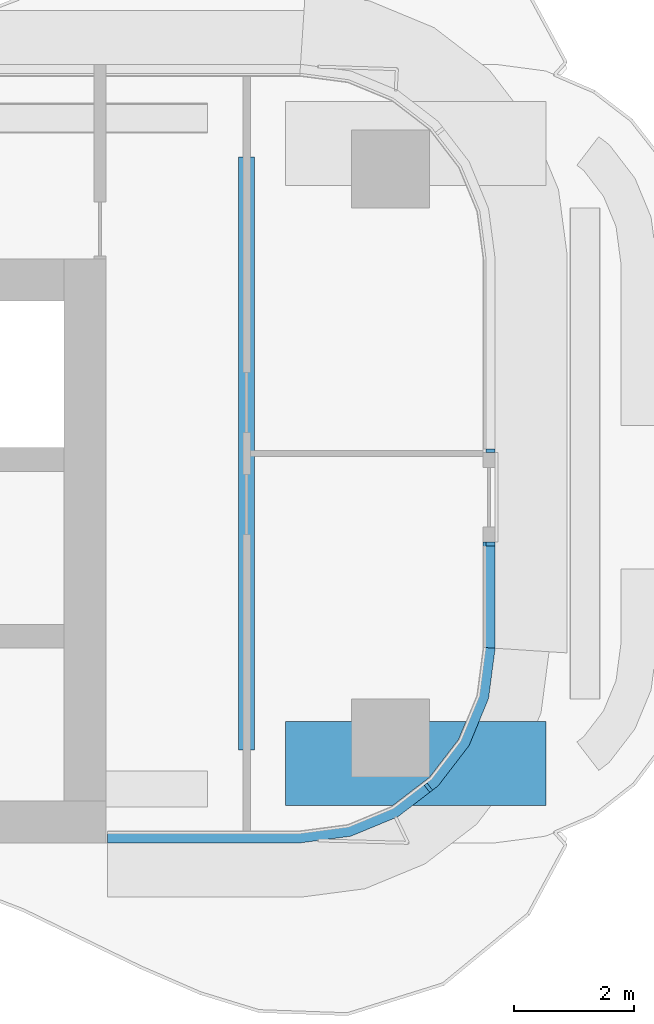
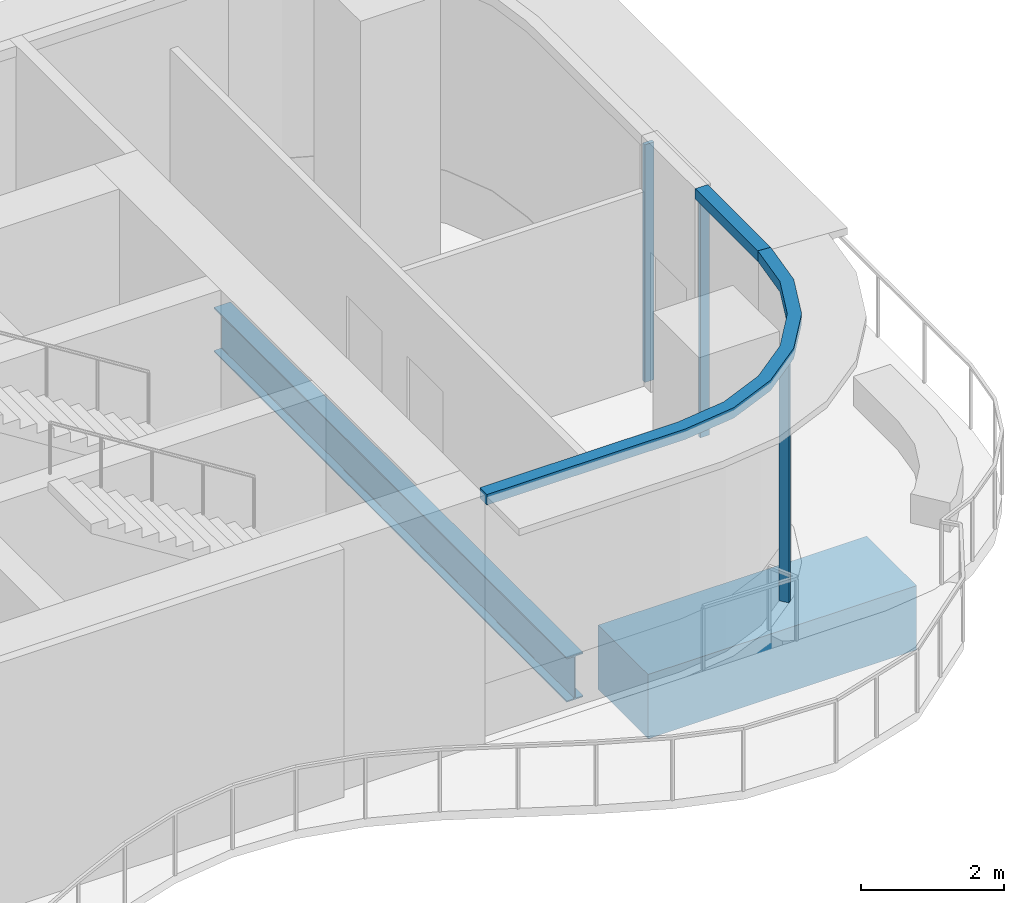
# One storey, part 7 of 21: 5 members, 2 beams, 3 elements without a shape of their own.
"""IFC4 building model written with IfcOpenShell, lengths in metres."""

from ifc_helpers import new_model, si_unit, direction, frame, origin, origin_2d, place, context, subcontext, project, spatial, polyline, rectangle, i_section, outline, extrude, source, transform, mapped, material, layer, layer_set, material_profile, profile_set, type_object, element, aggregate, save


model = new_model("IFC4")

# Units and contexts
model_context = context("Model", 3, precision=1e-05, world=origin(), true_north=direction((0.0, 1.0)))
body_context = subcontext(model_context, "Body", "Model", "MODEL_VIEW")
ifc_project = project(units=[si_unit("LENGTHUNIT", "METRE"), si_unit("AREAUNIT", "SQUARE_METRE"), si_unit("VOLUMEUNIT", "CUBIC_METRE"), si_unit("PLANEANGLEUNIT", "RADIAN"), si_unit("MASSUNIT", "GRAM", prefix="KILO")], contexts=[model_context])

# Site, building, storey
site_placement = place(None, origin())
site = spatial("IfcSite", under=ifc_project, at=site_placement, CompositionType="ELEMENT")
building_placement = place(site_placement, origin())
building = spatial("IfcBuilding", under=site, at=building_placement, Name="Trellis Farm Tower", CompositionType="ELEMENT")
storey_placement = place(building_placement, frame((0.0, 0.0, 97.5)))
storey = spatial("IfcBuildingStorey", under=building, at=storey_placement, Name="L20", CompositionType="ELEMENT", Elevation=97.5)

# Curtain wall, member
ifc_material_1 = material(Name="Aluminium and glass curtain wall", Category="aluminium")
ifc_layer_1 = layer(ifc_material_1, 0.18994140625)
ifc_layer_set_1 = layer_set([ifc_layer_1], Name="RIBBON CURTAIN WALL CW1")
curtain_wall_type = type_object("IfcCurtainWallType", Name="RIBBON CURTAIN WALL CW1", PredefinedType="NOTDEFINED", material=ifc_layer_set_1)
placement_1 = place(storey_placement, origin())
curtain_wall_1 = element("IfcCurtainWall", 1, at=placement_1, inside=storey, type_object=curtain_wall_type, Name="CW1 007", PredefinedType="NOTDEFINED")
ifc_material_2 = material(Name="Aluminium extrusion 6063-T6", Category="aluminium")
ifc_layer_2 = layer(ifc_material_2, 0.199951171875)
ifc_layer_set_2 = layer_set([ifc_layer_2], Name="Aluminium extrusion 6063-T6")
member_type_1 = type_object("IfcMemberType", Name="CW1 TRANSOM 200x180", PredefinedType="USERDEFINED", material=ifc_layer_set_2)
placement_2 = place(storey_placement, frame((0.0, 0.0, 4.070068359375)))
member_1 = element("IfcMember", 2, at=placement_2, type_object=member_type_1, Name="TR1 007", ObjectType="TRANSOM", PredefinedType="USERDEFINED", context=body_context, shape_type="SweptSolid", body=[
    extrude(outline(polyline([(29.25, -3.25), (29.25, -1.47998046875), (29.050048828125, -1.47998046875), (29.050048828125, -3.23681640625), (29.25, -3.25)])), origin(), (0.0, 0.0, 1.0), 0.179931640625),
])

# Beams
ifc_material_3 = material(Name="Steel S355", Category="steel")
ifc_material_profile_1 = material_profile(ifc_material_3, i_section(OverallWidth=0.2666015625, OverallDepth=0.76220703125, WebThickness=0.014404296875, FlangeThickness=0.021484375, FilletRadius=0.0166015625, at=origin_2d()), Name="UB 762x267x173")
ifc_profile_set_1 = profile_set([ifc_material_profile_1], Name="Steel S355")
beam_type_1 = type_object("IfcBeamType", Name="UB 762x267x173", PredefinedType="BEAM", material=ifc_profile_set_1)
shared_shape_1 = source(origin(), body_context, "Body", "SweptSolid", [
    extrude(i_section(OverallWidth=0.2666015625, OverallDepth=0.76220703125, WebThickness=0.014404296875, FlangeThickness=0.021484375, FilletRadius=0.0166015625, at=origin_2d()), origin(), (0.0, 0.0, 1.0), 9.89990234375),
])
beam_1_placement = place(storey_placement, frame((25.10009765625, -4.949951171875, -0.631103515625), z_axis=(0.0, 1.0, 0.0), x_axis=(-1.0, 0.0, 0.0)))
element("IfcBeam", 3, at=beam_1_placement, inside=storey, type_object=beam_type_1, Name="Girder", PredefinedType="BEAM", context=body_context, shape_type="MappedRepresentation", body=[
    mapped(shared_shape_1, transform((0.0, 0.0, 0.0))),
])
ifc_material_4 = material(Name="Concrete C80/95", Category="concrete")
ifc_material_profile_2 = material_profile(ifc_material_4, rectangle(XDim=1.39990234375, YDim=1.10009765625, at=origin_2d()), Name="RC transfer beam 1400x1100 C80/95")
ifc_profile_set_2 = profile_set([ifc_material_profile_2], Name="Concrete C80/95")
beam_type_2 = type_object("IfcBeamType", Name="RC transfer beam 1400x1100 C80/95", PredefinedType="BEAM", material=ifc_profile_set_2)
shared_shape_2 = source(origin(), body_context, "Body", "SweptSolid", [
    extrude(rectangle(XDim=1.39990234375, YDim=1.10009765625, at=origin_2d()), origin(), (0.0, 0.0, 1.0), 4.35009765625),
])
beam_2_placement = place(storey_placement, frame((25.75, -5.175048828125, -0.800048828125), z_axis=(1.0, 0.0, 0.0), x_axis=(0.0, 1.0, 0.0)))
element("IfcBeam", 4, at=beam_2_placement, inside=storey, type_object=beam_type_2, Name="Transfer girder", PredefinedType="BEAM", context=body_context, shape_type="MappedRepresentation", body=[
    mapped(shared_shape_2, transform((0.0, 0.0, 0.0))),
])

# Curtain wall, member
curtain_wall_2 = element("IfcCurtainWall", 5, at=placement_1, inside=storey, type_object=curtain_wall_type, Name="CW1 006", PredefinedType="NOTDEFINED")
ifc_material_profile_3 = material_profile(ifc_material_2, rectangle(XDim=0.06005859375, YDim=0.14990234375, at=origin_2d()), Name="MULLION 60x150")
ifc_profile_set_3 = profile_set([ifc_material_profile_3], Name="Aluminium extrusion 6063-T6")
member_type_2 = type_object("IfcMemberType", Name="CW1 MULLION 60x150", PredefinedType="MULLION", material=ifc_profile_set_3)
shared_shape_3 = source(origin(), body_context, "Body", "SweptSolid", [
    extrude(rectangle(XDim=0.06005859375, YDim=0.14990234375, at=origin_2d()), origin(), (0.0, 0.0, 1.0), 4.070068359375),
])
member_2_placement = place(storey_placement, frame((28.135498046875, -5.578369140625, 0.0), z_axis=(0.0, 0.0, 1.0), x_axis=(0.793353340291, 0.608761429009, 0.0)))
member_2 = element("IfcMember", 6, at=member_2_placement, type_object=member_type_2, Name="MU1 006-01", PredefinedType="MULLION", context=body_context, shape_type="MappedRepresentation", body=[
    mapped(shared_shape_3, transform((0.0, 0.0, 0.0))),
])

# Member
member_3_placement = place(storey_placement, frame((29.175048828125, -1.510009765625, 0.0), z_axis=(0.0, 0.0, 1.0), x_axis=(0.0, 1.0, 0.0)))
member_3 = element("IfcMember", 7, at=member_3_placement, type_object=member_type_2, Name="MU1 007-01", PredefinedType="MULLION", context=body_context, shape_type="MappedRepresentation", body=[
    mapped(shared_shape_3, transform((0.0, 0.0, 0.0))),
])

aggregate(curtain_wall_1, [member_3, member_1])

# Curtain wall, member
curtain_wall_3 = element("IfcCurtainWall", 8, at=placement_1, inside=storey, type_object=curtain_wall_type, Name="CW1 008", PredefinedType="NOTDEFINED")
member_4_placement = place(storey_placement, frame((29.175048828125, 0.050048828125, 0.0), z_axis=(0.0, 0.0, 1.0), x_axis=(0.0, 1.0, 0.0)))
member_4 = element("IfcMember", 9, at=member_4_placement, type_object=member_type_2, Name="MU1 008-01", PredefinedType="MULLION", context=body_context, shape_type="MappedRepresentation", body=[
    mapped(shared_shape_3, transform((0.0, 0.0, 0.0))),
])
aggregate(curtain_wall_3, [member_4])

# Member
shared_shape_4 = source(origin(), body_context, "Body", "SweptSolid", [
    extrude(outline(polyline([(22.780029296875, -6.5), (26.0, -6.5), (26.841064453125, -6.38916015625), (27.625, -6.064697265625), (28.298095703125, -5.548095703125), (28.814697265625, -4.875), (29.13916015625, -4.091064453125), (29.25, -3.25), (29.050048828125, -3.23681640625), (28.9443359375, -4.0390625), (28.639892578125, -4.774169921875), (28.155517578125, -5.405517578125), (27.524169921875, -5.889892578125), (26.7890625, -6.1943359375), (25.98681640625, -6.300048828125), (22.780029296875, -6.300048828125), (22.780029296875, -6.5)])), origin(), (0.0, 0.0, 1.0), 0.179931640625),
])
member_5 = element("IfcMember", 10, at=placement_2, type_object=member_type_1, Name="TR1 006", ObjectType="TRANSOM", PredefinedType="USERDEFINED", context=body_context, shape_type="MappedRepresentation", body=[
    mapped(shared_shape_4, transform((0.0, 0.0, 0.0))),
])

aggregate(curtain_wall_2, [member_2, member_5])

save(model, "model.ifc")
